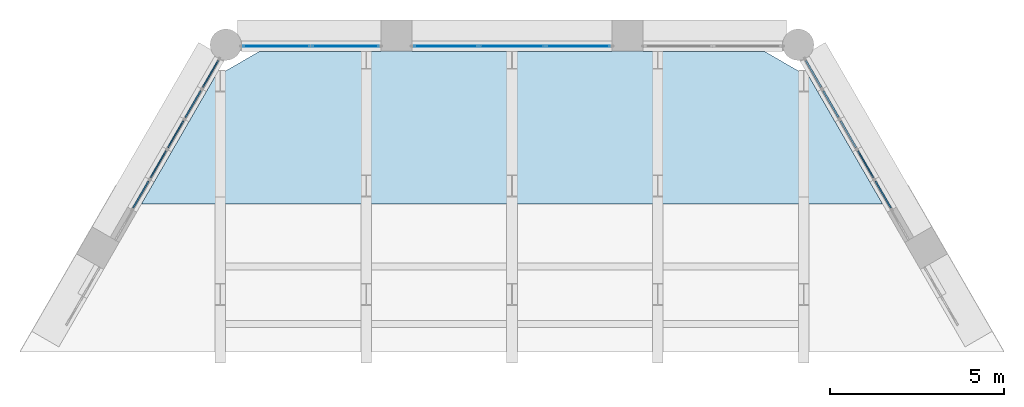
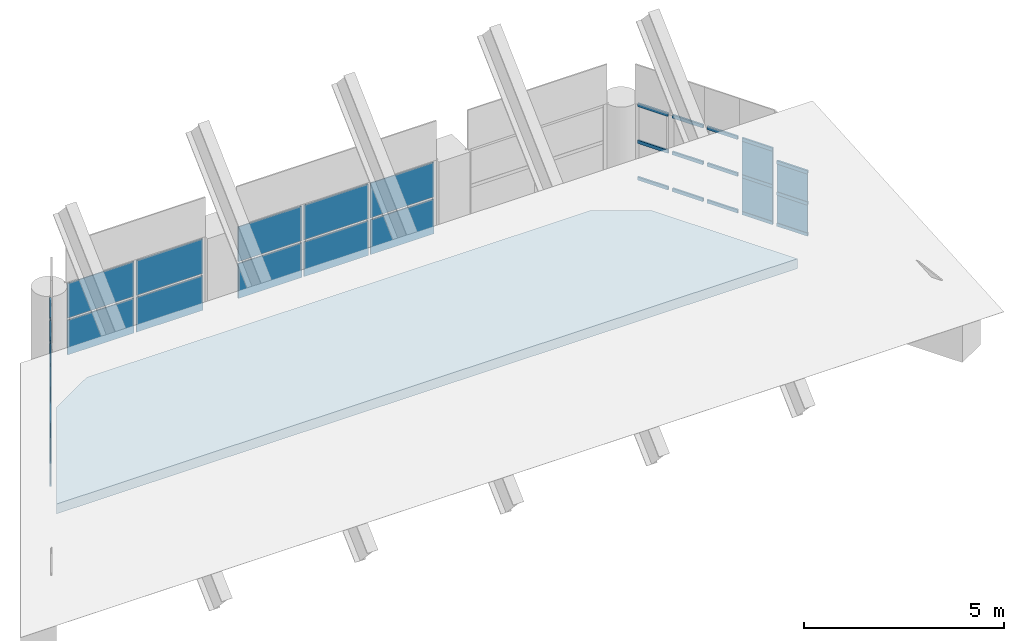
# One storey, part 9 of 11: 30 members, 24 plates, 1 slab, 12 elements without a shape of their own.
"""IFC4 building model written with IfcOpenShell, lengths in metres."""

from ifc_helpers import new_model, si_unit, direction, frame, origin, origin_2d, place, context, subcontext, project, spatial, polyline, rectangle, hollow_rectangle, outline, extrude, material, layer, layer_set, material_profile, profile_set, type_object, element, aggregate, save


model = new_model("IFC4")

# Units and contexts
model_context = context("Model", 3, precision=1e-05, world=origin(), true_north=direction((0.0, 1.0)))
body_context = subcontext(model_context, "Body", "Model", "MODEL_VIEW")
ifc_project = project(units=[si_unit("LENGTHUNIT", "METRE"), si_unit("AREAUNIT", "SQUARE_METRE"), si_unit("VOLUMEUNIT", "CUBIC_METRE"), si_unit("PLANEANGLEUNIT", "RADIAN"), si_unit("MASSUNIT", "GRAM", prefix="KILO")], contexts=[model_context])

# Site, building, storey
site_placement = place(None, origin())
site = spatial("IfcSite", under=ifc_project, at=site_placement, CompositionType="ELEMENT")
building_placement = place(site_placement, origin())
building = spatial("IfcBuilding", under=site, at=building_placement, Name="Ostrander Bayou Hotel Tower", CompositionType="ELEMENT")
storey_placement = place(building_placement, frame((0.0, 0.0, 297.5)))
storey = spatial("IfcBuildingStorey", under=building, at=storey_placement, Name="Roof 73", CompositionType="ELEMENT", Elevation=297.5)

# Curtain wall, members
ifc_material_1 = material(Name="Aluminium and clear glass", Category="aluminium")
curtain_wall_type = type_object("IfcCurtainWallType", Name="CW-CROWN glazed wall", PredefinedType="NOTDEFINED", material=ifc_material_1)
curtain_wall_1_placement = place(storey_placement, origin())
curtain_wall_1 = element("IfcCurtainWall", 1, at=curtain_wall_1_placement, inside=storey, type_object=curtain_wall_type, Name="CW-CROWN L73:NW-1-1", PredefinedType="NOTDEFINED")
ifc_material_2 = material(Name="Aluminium", Category="aluminium")
ifc_material_profile = material_profile(ifc_material_2, hollow_rectangle(XDim=0.050048828125, YDim=0.10009765625, WallThickness=0.00390625, at=origin_2d()))
ifc_profile_set = profile_set([ifc_material_profile], Name="Aluminium")
member_type = type_object("IfcMemberType", Name="CW-CR transom 50 x 100 mm", PredefinedType="USERDEFINED", material=ifc_profile_set)
member_1_placement = place(storey_placement, frame((-8.4619140625, 16.13037109375, 1.030029296875), z_axis=(-0.500033502416, -0.866006060292, 0.0), x_axis=(0.866006060292, -0.500033502416, 0.0)))
member_1 = element("IfcMember", 2, at=member_1_placement, type_object=member_type, Name="CW-CROWN transom 1.1", ObjectType="TRANSOM", PredefinedType="USERDEFINED", context=body_context, shape_type="SweptSolid", body=[
    extrude(hollow_rectangle(XDim=0.050048828125, YDim=0.10009765625, WallThickness=0.00390625, at=origin_2d()), origin(), (0.0, 0.0, 1.0), 0.88330078125),
])
member_2_placement = place(storey_placement, frame((-8.4619140625, 16.13037109375, 2.14990234375), z_axis=(-0.500033502416, -0.866006060292, 0.0), x_axis=(0.866006060292, -0.500033502416, 0.0)))
member_2 = element("IfcMember", 3, at=member_2_placement, type_object=member_type, Name="CW-CROWN transom 1.2", ObjectType="TRANSOM", PredefinedType="USERDEFINED", context=body_context, shape_type="SweptSolid", body=[
    extrude(hollow_rectangle(XDim=0.050048828125, YDim=0.10009765625, WallThickness=0.00390625, at=origin_2d()), origin(), (0.0, 0.0, 1.0), 0.88330078125),
])
member_3_placement = place(storey_placement, frame((-8.4619140625, 16.13037109375, 3.27001953125), z_axis=(-0.500033502416, -0.866006060292, 0.0), x_axis=(0.866006060292, -0.500033502416, 0.0)))
member_3 = element("IfcMember", 4, at=member_3_placement, type_object=member_type, Name="CW-CROWN transom 1.3", ObjectType="TRANSOM", PredefinedType="USERDEFINED", context=body_context, shape_type="SweptSolid", body=[
    extrude(hollow_rectangle(XDim=0.050048828125, YDim=0.10009765625, WallThickness=0.00390625, at=origin_2d()), origin(), (0.0, 0.0, 1.0), 0.88330078125),
])

curtain_wall_2_placement = place(storey_placement, origin())
curtain_wall_2 = element("IfcCurtainWall", 5, at=curtain_wall_2_placement, inside=storey, type_object=curtain_wall_type, Name="CW-CROWN L73:NW-1-2", PredefinedType="NOTDEFINED")
member_4_placement = place(storey_placement, frame((-8.963623046875, 15.26171875, 1.030029296875), z_axis=(-0.500033502416, -0.866006060292, 0.0), x_axis=(0.866006060292, -0.500033502416, 0.0)))
member_4 = element("IfcMember", 6, at=member_4_placement, type_object=member_type, Name="CW-CROWN transom 1.1", ObjectType="TRANSOM", PredefinedType="USERDEFINED", context=body_context, shape_type="SweptSolid", body=[
    extrude(hollow_rectangle(XDim=0.050048828125, YDim=0.10009765625, WallThickness=0.00390625, at=origin_2d()), origin(), (0.0, 0.0, 1.0), 0.88330078125),
])
member_5_placement = place(storey_placement, frame((-8.963623046875, 15.26171875, 2.14990234375), z_axis=(-0.500033502416, -0.866006060292, 0.0), x_axis=(0.866006060292, -0.500033502416, 0.0)))
member_5 = element("IfcMember", 7, at=member_5_placement, type_object=member_type, Name="CW-CROWN transom 1.2", ObjectType="TRANSOM", PredefinedType="USERDEFINED", context=body_context, shape_type="SweptSolid", body=[
    extrude(hollow_rectangle(XDim=0.050048828125, YDim=0.10009765625, WallThickness=0.00390625, at=origin_2d()), origin(), (0.0, 0.0, 1.0), 0.88330078125),
])
member_6_placement = place(storey_placement, frame((-8.963623046875, 15.26171875, 3.27001953125), z_axis=(-0.500033502416, -0.866006060292, 0.0), x_axis=(0.866006060292, -0.500033502416, 0.0)))
member_6 = element("IfcMember", 8, at=member_6_placement, type_object=member_type, Name="CW-CROWN transom 1.3", ObjectType="TRANSOM", PredefinedType="USERDEFINED", context=body_context, shape_type="SweptSolid", body=[
    extrude(hollow_rectangle(XDim=0.050048828125, YDim=0.10009765625, WallThickness=0.00390625, at=origin_2d()), origin(), (0.0, 0.0, 1.0), 0.88330078125),
])

curtain_wall_3_placement = place(storey_placement, origin())
curtain_wall_3 = element("IfcCurtainWall", 9, at=curtain_wall_3_placement, inside=storey, type_object=curtain_wall_type, Name="CW-CROWN L73:NW-1-3", PredefinedType="NOTDEFINED")
member_7_placement = place(storey_placement, frame((-9.465087890625, 14.392822265625, 1.030029296875), z_axis=(-0.500153222552, -0.865936922628, 0.0), x_axis=(0.865936922628, -0.500153222552, 0.0)))
member_7 = element("IfcMember", 10, at=member_7_placement, type_object=member_type, Name="CW-CROWN transom 1.1", ObjectType="TRANSOM", PredefinedType="USERDEFINED", context=body_context, shape_type="SweptSolid", body=[
    extrude(hollow_rectangle(XDim=0.050048828125, YDim=0.10009765625, WallThickness=0.00390625, at=origin_2d()), origin(), (0.0, 0.0, 1.0), 0.883056640625),
])
member_8_placement = place(storey_placement, frame((-9.465087890625, 14.392822265625, 2.14990234375), z_axis=(-0.500153222552, -0.865936922628, 0.0), x_axis=(0.865936922628, -0.500153222552, 0.0)))
member_8 = element("IfcMember", 11, at=member_8_placement, type_object=member_type, Name="CW-CROWN transom 1.2", ObjectType="TRANSOM", PredefinedType="USERDEFINED", context=body_context, shape_type="SweptSolid", body=[
    extrude(hollow_rectangle(XDim=0.050048828125, YDim=0.10009765625, WallThickness=0.00390625, at=origin_2d()), origin(), (0.0, 0.0, 1.0), 0.883056640625),
])
member_9_placement = place(storey_placement, frame((-9.465087890625, 14.392822265625, 3.27001953125), z_axis=(-0.500153222552, -0.865936922628, 0.0), x_axis=(0.865936922628, -0.500153222552, 0.0)))
member_9 = element("IfcMember", 12, at=member_9_placement, type_object=member_type, Name="CW-CROWN transom 1.3", ObjectType="TRANSOM", PredefinedType="USERDEFINED", context=body_context, shape_type="SweptSolid", body=[
    extrude(hollow_rectangle(XDim=0.050048828125, YDim=0.10009765625, WallThickness=0.00390625, at=origin_2d()), origin(), (0.0, 0.0, 1.0), 0.883056640625),
])

curtain_wall_4_placement = place(storey_placement, origin())
curtain_wall_4 = element("IfcCurtainWall", 13, at=curtain_wall_4_placement, inside=storey, type_object=curtain_wall_type, Name="CW-CROWN L73:NW-1-4", PredefinedType="NOTDEFINED")
member_10_placement = place(storey_placement, frame((-9.966796875, 13.524169921875, 1.030029296875), z_axis=(-0.499826157957, -0.866125748273, 0.0), x_axis=(0.866125748273, -0.499826157957, 0.0)))
member_10 = element("IfcMember", 14, at=member_10_placement, type_object=member_type, Name="CW-CROWN transom 1.1", ObjectType="TRANSOM", PredefinedType="USERDEFINED", context=body_context, shape_type="SweptSolid", body=[
    extrude(hollow_rectangle(XDim=0.050048828125, YDim=0.10009765625, WallThickness=0.00390625, at=origin_2d()), origin(), (0.0, 0.0, 1.0), 0.883056640625),
])
member_11_placement = place(storey_placement, frame((-9.966796875, 13.524169921875, 2.14990234375), z_axis=(-0.499826157957, -0.866125748273, 0.0), x_axis=(0.866125748273, -0.499826157957, 0.0)))
member_11 = element("IfcMember", 15, at=member_11_placement, type_object=member_type, Name="CW-CROWN transom 1.2", ObjectType="TRANSOM", PredefinedType="USERDEFINED", context=body_context, shape_type="SweptSolid", body=[
    extrude(hollow_rectangle(XDim=0.050048828125, YDim=0.10009765625, WallThickness=0.00390625, at=origin_2d()), origin(), (0.0, 0.0, 1.0), 0.883056640625),
])
member_12_placement = place(storey_placement, frame((-9.966796875, 13.524169921875, 3.27001953125), z_axis=(-0.499826157957, -0.866125748273, 0.0), x_axis=(0.866125748273, -0.499826157957, 0.0)))
member_12 = element("IfcMember", 16, at=member_12_placement, type_object=member_type, Name="CW-CROWN transom 1.3", ObjectType="TRANSOM", PredefinedType="USERDEFINED", context=body_context, shape_type="SweptSolid", body=[
    extrude(hollow_rectangle(XDim=0.050048828125, YDim=0.10009765625, WallThickness=0.00390625, at=origin_2d()), origin(), (0.0, 0.0, 1.0), 0.883056640625),
])

curtain_wall_5_placement = place(storey_placement, origin())
curtain_wall_5 = element("IfcCurtainWall", 17, at=curtain_wall_5_placement, inside=storey, type_object=curtain_wall_type, Name="CW-CROWN L73:NW-1-5", PredefinedType="NOTDEFINED")
member_13_placement = place(storey_placement, frame((-10.46826171875, 12.6552734375, 1.030029296875), z_axis=(-0.500153222552, -0.865936922628, 0.0), x_axis=(0.865936922628, -0.500153222552, 0.0)))
member_13 = element("IfcMember", 18, at=member_13_placement, type_object=member_type, Name="CW-CROWN transom 1.1", ObjectType="TRANSOM", PredefinedType="USERDEFINED", context=body_context, shape_type="SweptSolid", body=[
    extrude(hollow_rectangle(XDim=0.050048828125, YDim=0.10009765625, WallThickness=0.00390625, at=origin_2d()), origin(), (0.0, 0.0, 1.0), 0.883056640625),
])
member_14_placement = place(storey_placement, frame((-10.46826171875, 12.6552734375, 1.97802734375), z_axis=(-0.500153222552, -0.865936922628, 0.0), x_axis=(0.865936922628, -0.500153222552, 0.0)))
member_14 = element("IfcMember", 19, at=member_14_placement, type_object=member_type, Name="CW-CROWN transom 1.2", ObjectType="TRANSOM", PredefinedType="USERDEFINED", context=body_context, shape_type="SweptSolid", body=[
    extrude(hollow_rectangle(XDim=0.050048828125, YDim=0.10009765625, WallThickness=0.00390625, at=origin_2d()), origin(), (0.0, 0.0, 1.0), 0.883056640625),
])
member_15_placement = place(storey_placement, frame((-10.46826171875, 12.6552734375, 2.926025390625), z_axis=(-0.500153222552, -0.865936922628, 0.0), x_axis=(0.865936922628, -0.500153222552, 0.0)))
member_15 = element("IfcMember", 20, at=member_15_placement, type_object=member_type, Name="CW-CROWN transom 1.3", ObjectType="TRANSOM", PredefinedType="USERDEFINED", context=body_context, shape_type="SweptSolid", body=[
    extrude(hollow_rectangle(XDim=0.050048828125, YDim=0.10009765625, WallThickness=0.00390625, at=origin_2d()), origin(), (0.0, 0.0, 1.0), 0.883056640625),
])

curtain_wall_6_placement = place(storey_placement, origin())
curtain_wall_6 = element("IfcCurtainWall", 21, at=curtain_wall_6_placement, inside=storey, type_object=curtain_wall_type, Name="CW-CROWN L73:NE-3-2", PredefinedType="NOTDEFINED")
member_16_placement = place(storey_placement, frame((10.909912109375, 11.890625, 1.030029296875), z_axis=(-0.500153222552, 0.865936922628, 0.0), x_axis=(-0.865936922628, -0.500153222552, 0.0)))
member_16 = element("IfcMember", 22, at=member_16_placement, type_object=member_type, Name="CW-CROWN transom 1.1", ObjectType="TRANSOM", PredefinedType="USERDEFINED", context=body_context, shape_type="SweptSolid", body=[
    extrude(hollow_rectangle(XDim=0.050048828125, YDim=0.10009765625, WallThickness=0.00390625, at=origin_2d()), origin(), (0.0, 0.0, 1.0), 0.883056640625),
])
member_17_placement = place(storey_placement, frame((10.909912109375, 11.890625, 1.97802734375), z_axis=(-0.500153222552, 0.865936922628, 0.0), x_axis=(-0.865936922628, -0.500153222552, 0.0)))
member_17 = element("IfcMember", 23, at=member_17_placement, type_object=member_type, Name="CW-CROWN transom 1.2", ObjectType="TRANSOM", PredefinedType="USERDEFINED", context=body_context, shape_type="SweptSolid", body=[
    extrude(hollow_rectangle(XDim=0.050048828125, YDim=0.10009765625, WallThickness=0.00390625, at=origin_2d()), origin(), (0.0, 0.0, 1.0), 0.883056640625),
])
member_18_placement = place(storey_placement, frame((10.909912109375, 11.890625, 2.926025390625), z_axis=(-0.500153222552, 0.865936922628, 0.0), x_axis=(-0.865936922628, -0.500153222552, 0.0)))
member_18 = element("IfcMember", 24, at=member_18_placement, type_object=member_type, Name="CW-CROWN transom 1.3", ObjectType="TRANSOM", PredefinedType="USERDEFINED", context=body_context, shape_type="SweptSolid", body=[
    extrude(hollow_rectangle(XDim=0.050048828125, YDim=0.10009765625, WallThickness=0.00390625, at=origin_2d()), origin(), (0.0, 0.0, 1.0), 0.883056640625),
])

curtain_wall_7_placement = place(storey_placement, origin())
curtain_wall_7 = element("IfcCurtainWall", 25, at=curtain_wall_7_placement, inside=storey, type_object=curtain_wall_type, Name="CW-CROWN L73:NE-3-3", PredefinedType="NOTDEFINED")
member_19_placement = place(storey_placement, frame((10.408203125, 12.75927734375, 1.030029296875), z_axis=(-0.499826157957, 0.866125748273, 0.0), x_axis=(-0.866125748273, -0.499826157957, 0.0)))
member_19 = element("IfcMember", 26, at=member_19_placement, type_object=member_type, Name="CW-CROWN transom 1.1", ObjectType="TRANSOM", PredefinedType="USERDEFINED", context=body_context, shape_type="SweptSolid", body=[
    extrude(hollow_rectangle(XDim=0.050048828125, YDim=0.10009765625, WallThickness=0.00390625, at=origin_2d()), origin(), (0.0, 0.0, 1.0), 0.883056640625),
])
member_20_placement = place(storey_placement, frame((10.408203125, 12.75927734375, 2.14990234375), z_axis=(-0.499826157957, 0.866125748273, 0.0), x_axis=(-0.866125748273, -0.499826157957, 0.0)))
member_20 = element("IfcMember", 27, at=member_20_placement, type_object=member_type, Name="CW-CROWN transom 1.2", ObjectType="TRANSOM", PredefinedType="USERDEFINED", context=body_context, shape_type="SweptSolid", body=[
    extrude(hollow_rectangle(XDim=0.050048828125, YDim=0.10009765625, WallThickness=0.00390625, at=origin_2d()), origin(), (0.0, 0.0, 1.0), 0.883056640625),
])
member_21_placement = place(storey_placement, frame((10.408203125, 12.75927734375, 3.27001953125), z_axis=(-0.499826157957, 0.866125748273, 0.0), x_axis=(-0.866125748273, -0.499826157957, 0.0)))
member_21 = element("IfcMember", 28, at=member_21_placement, type_object=member_type, Name="CW-CROWN transom 1.3", ObjectType="TRANSOM", PredefinedType="USERDEFINED", context=body_context, shape_type="SweptSolid", body=[
    extrude(hollow_rectangle(XDim=0.050048828125, YDim=0.10009765625, WallThickness=0.00390625, at=origin_2d()), origin(), (0.0, 0.0, 1.0), 0.883056640625),
])

curtain_wall_8_placement = place(storey_placement, origin())
curtain_wall_8 = element("IfcCurtainWall", 29, at=curtain_wall_8_placement, inside=storey, type_object=curtain_wall_type, Name="CW-CROWN L73:NE-3-4", PredefinedType="NOTDEFINED")
member_22_placement = place(storey_placement, frame((9.90673828125, 13.628173828125, 1.030029296875), z_axis=(-0.500153222552, 0.865936922628, 0.0), x_axis=(-0.865936922628, -0.500153222552, 0.0)))
member_22 = element("IfcMember", 30, at=member_22_placement, type_object=member_type, Name="CW-CROWN transom 1.1", ObjectType="TRANSOM", PredefinedType="USERDEFINED", context=body_context, shape_type="SweptSolid", body=[
    extrude(hollow_rectangle(XDim=0.050048828125, YDim=0.10009765625, WallThickness=0.00390625, at=origin_2d()), origin(), (0.0, 0.0, 1.0), 0.883056640625),
])
member_23_placement = place(storey_placement, frame((9.90673828125, 13.628173828125, 2.14990234375), z_axis=(-0.500153222552, 0.865936922628, 0.0), x_axis=(-0.865936922628, -0.500153222552, 0.0)))
member_23 = element("IfcMember", 31, at=member_23_placement, type_object=member_type, Name="CW-CROWN transom 1.2", ObjectType="TRANSOM", PredefinedType="USERDEFINED", context=body_context, shape_type="SweptSolid", body=[
    extrude(hollow_rectangle(XDim=0.050048828125, YDim=0.10009765625, WallThickness=0.00390625, at=origin_2d()), origin(), (0.0, 0.0, 1.0), 0.883056640625),
])
member_24_placement = place(storey_placement, frame((9.90673828125, 13.628173828125, 3.27001953125), z_axis=(-0.500153222552, 0.865936922628, 0.0), x_axis=(-0.865936922628, -0.500153222552, 0.0)))
member_24 = element("IfcMember", 32, at=member_24_placement, type_object=member_type, Name="CW-CROWN transom 1.3", ObjectType="TRANSOM", PredefinedType="USERDEFINED", context=body_context, shape_type="SweptSolid", body=[
    extrude(hollow_rectangle(XDim=0.050048828125, YDim=0.10009765625, WallThickness=0.00390625, at=origin_2d()), origin(), (0.0, 0.0, 1.0), 0.883056640625),
])
aggregate(curtain_wall_8, [member_22, member_23, member_24])

curtain_wall_9_placement = place(storey_placement, origin())
curtain_wall_9 = element("IfcCurtainWall", 33, at=curtain_wall_9_placement, inside=storey, type_object=curtain_wall_type, Name="CW-CROWN L73:NE-3-5", PredefinedType="NOTDEFINED")
member_25_placement = place(storey_placement, frame((9.4052734375, 14.496826171875, 1.030029296875), z_axis=(-0.500033502416, 0.866006060292, 0.0), x_axis=(-0.866006060292, -0.500033502416, 0.0)))
member_25 = element("IfcMember", 34, at=member_25_placement, type_object=member_type, Name="CW-CROWN transom 1.1", ObjectType="TRANSOM", PredefinedType="USERDEFINED", context=body_context, shape_type="SweptSolid", body=[
    extrude(hollow_rectangle(XDim=0.050048828125, YDim=0.10009765625, WallThickness=0.00390625, at=origin_2d()), origin(), (0.0, 0.0, 1.0), 0.88330078125),
])
member_26_placement = place(storey_placement, frame((9.4052734375, 14.496826171875, 2.14990234375), z_axis=(-0.500033502416, 0.866006060292, 0.0), x_axis=(-0.866006060292, -0.500033502416, 0.0)))
member_26 = element("IfcMember", 35, at=member_26_placement, type_object=member_type, Name="CW-CROWN transom 1.2", ObjectType="TRANSOM", PredefinedType="USERDEFINED", context=body_context, shape_type="SweptSolid", body=[
    extrude(hollow_rectangle(XDim=0.050048828125, YDim=0.10009765625, WallThickness=0.00390625, at=origin_2d()), origin(), (0.0, 0.0, 1.0), 0.88330078125),
])
member_27_placement = place(storey_placement, frame((9.4052734375, 14.496826171875, 3.27001953125), z_axis=(-0.500033502416, 0.866006060292, 0.0), x_axis=(-0.866006060292, -0.500033502416, 0.0)))
member_27 = element("IfcMember", 36, at=member_27_placement, type_object=member_type, Name="CW-CROWN transom 1.3", ObjectType="TRANSOM", PredefinedType="USERDEFINED", context=body_context, shape_type="SweptSolid", body=[
    extrude(hollow_rectangle(XDim=0.050048828125, YDim=0.10009765625, WallThickness=0.00390625, at=origin_2d()), origin(), (0.0, 0.0, 1.0), 0.88330078125),
])
aggregate(curtain_wall_9, [member_25, member_26, member_27])

curtain_wall_10_placement = place(storey_placement, origin())
curtain_wall_10 = element("IfcCurtainWall", 37, at=curtain_wall_10_placement, inside=storey, type_object=curtain_wall_type, Name="CW-CROWN L73:NE-3-6", PredefinedType="NOTDEFINED")
member_28_placement = place(storey_placement, frame((8.903564453125, 15.365478515625, 1.030029296875), z_axis=(-0.500033502416, 0.866006060292, 0.0), x_axis=(-0.866006060292, -0.500033502416, 0.0)))
member_28 = element("IfcMember", 38, at=member_28_placement, type_object=member_type, Name="CW-CROWN transom 1.1", ObjectType="TRANSOM", PredefinedType="USERDEFINED", context=body_context, shape_type="SweptSolid", body=[
    extrude(hollow_rectangle(XDim=0.050048828125, YDim=0.10009765625, WallThickness=0.00390625, at=origin_2d()), origin(), (0.0, 0.0, 1.0), 0.88330078125),
])
member_29_placement = place(storey_placement, frame((8.903564453125, 15.365478515625, 2.14990234375), z_axis=(-0.500033502416, 0.866006060292, 0.0), x_axis=(-0.866006060292, -0.500033502416, 0.0)))
member_29 = element("IfcMember", 39, at=member_29_placement, type_object=member_type, Name="CW-CROWN transom 1.2", ObjectType="TRANSOM", PredefinedType="USERDEFINED", context=body_context, shape_type="SweptSolid", body=[
    extrude(hollow_rectangle(XDim=0.050048828125, YDim=0.10009765625, WallThickness=0.00390625, at=origin_2d()), origin(), (0.0, 0.0, 1.0), 0.88330078125),
])
member_30_placement = place(storey_placement, frame((8.903564453125, 15.365478515625, 3.27001953125), z_axis=(-0.500033502416, 0.866006060292, 0.0), x_axis=(-0.866006060292, -0.500033502416, 0.0)))
member_30 = element("IfcMember", 40, at=member_30_placement, type_object=member_type, Name="CW-CROWN transom 1.3", ObjectType="TRANSOM", PredefinedType="USERDEFINED", context=body_context, shape_type="SweptSolid", body=[
    extrude(hollow_rectangle(XDim=0.050048828125, YDim=0.10009765625, WallThickness=0.00390625, at=origin_2d()), origin(), (0.0, 0.0, 1.0), 0.88330078125),
])
aggregate(curtain_wall_10, [member_28, member_29, member_30])

# Curtain wall, plates
curtain_wall_11_placement = place(storey_placement, origin())
curtain_wall_11 = element("IfcCurtainWall", 41, at=curtain_wall_11_placement, inside=storey, type_object=curtain_wall_type, Name="CW-CROWN L73:N-2", PredefinedType="NOTDEFINED")
ifc_material_3 = material(Name="Clear laminated glass", Category="glass")
ifc_layer_1 = layer(ifc_material_3, 0.028076171875)
ifc_layer_set_1 = layer_set([ifc_layer_1], Name="CW-CR glazing panel 28 mm")
plate_type = type_object("IfcPlateType", Name="CW-CR glazing panel 28 mm", PredefinedType="CURTAIN_PANEL", material=ifc_layer_set_1)
plate_1_placement = place(storey_placement, frame((1.904541015625, 16.550048828125, 1.06005859375), z_axis=(0.0, 0.0, 1.0), x_axis=(-1.0, 0.0, 0.0)))
plate_1 = element("IfcPlate", 42, at=plate_1_placement, type_object=plate_type, Name="CW-CROWN panel 1.1", PredefinedType="CURTAIN_PANEL", context=body_context, shape_type="SweptSolid", body=[
    extrude(rectangle(XDim=1.82958984375, YDim=0.028076171875, at=origin_2d()), origin(), (0.0, 0.0, 1.0), 1.06005859375),
])
plate_2_placement = place(storey_placement, frame((1.904541015625, 16.550048828125, 2.179931640625), z_axis=(0.0, 0.0, 1.0), x_axis=(-1.0, 0.0, 0.0)))
plate_2 = element("IfcPlate", 43, at=plate_2_placement, type_object=plate_type, Name="CW-CROWN panel 1.2", PredefinedType="CURTAIN_PANEL", context=body_context, shape_type="SweptSolid", body=[
    extrude(rectangle(XDim=1.82958984375, YDim=0.028076171875, at=origin_2d()), origin(), (0.0, 0.0, 1.0), 1.06005859375),
])
plate_3_placement = place(storey_placement, frame((0.0, 16.550048828125, 1.06005859375), z_axis=(0.0, 0.0, 1.0), x_axis=(-1.0, 0.0, 0.0)))
plate_3 = element("IfcPlate", 44, at=plate_3_placement, type_object=plate_type, Name="CW-CROWN panel 2.1", PredefinedType="CURTAIN_PANEL", context=body_context, shape_type="SweptSolid", body=[
    extrude(rectangle(XDim=1.859619140625, YDim=0.028076171875, at=origin_2d()), origin(), (0.0, 0.0, 1.0), 1.06005859375),
])
plate_4_placement = place(storey_placement, frame((0.0, 16.550048828125, 2.179931640625), z_axis=(0.0, 0.0, 1.0), x_axis=(-1.0, 0.0, 0.0)))
plate_4 = element("IfcPlate", 45, at=plate_4_placement, type_object=plate_type, Name="CW-CROWN panel 2.2", PredefinedType="CURTAIN_PANEL", context=body_context, shape_type="SweptSolid", body=[
    extrude(rectangle(XDim=1.859619140625, YDim=0.028076171875, at=origin_2d()), origin(), (0.0, 0.0, 1.0), 1.06005859375),
])
plate_5_placement = place(storey_placement, frame((-1.904541015625, 16.550048828125, 1.06005859375), z_axis=(0.0, 0.0, 1.0), x_axis=(-1.0, 0.0, 0.0)))
plate_5 = element("IfcPlate", 46, at=plate_5_placement, type_object=plate_type, Name="CW-CROWN panel 3.1", PredefinedType="CURTAIN_PANEL", context=body_context, shape_type="SweptSolid", body=[
    extrude(rectangle(XDim=1.82958984375, YDim=0.028076171875, at=origin_2d()), origin(), (0.0, 0.0, 1.0), 1.06005859375),
])
plate_6_placement = place(storey_placement, frame((-1.904541015625, 16.550048828125, 2.179931640625), z_axis=(0.0, 0.0, 1.0), x_axis=(-1.0, 0.0, 0.0)))
plate_6 = element("IfcPlate", 47, at=plate_6_placement, type_object=plate_type, Name="CW-CROWN panel 3.2", PredefinedType="CURTAIN_PANEL", context=body_context, shape_type="SweptSolid", body=[
    extrude(rectangle(XDim=1.82958984375, YDim=0.028076171875, at=origin_2d()), origin(), (0.0, 0.0, 1.0), 1.06005859375),
])
aggregate(curtain_wall_11, [plate_1, plate_2, plate_3, plate_4, plate_5, plate_6])

curtain_wall_12_placement = place(storey_placement, origin())
curtain_wall_12 = element("IfcCurtainWall", 48, at=curtain_wall_12_placement, inside=storey, type_object=curtain_wall_type, Name="CW-CROWN L73:N-3", PredefinedType="NOTDEFINED")
plate_7_placement = place(storey_placement, frame((-4.798583984375, 16.550048828125, 1.06005859375), z_axis=(0.0, 0.0, 1.0), x_axis=(-1.0, 0.0, 0.0)))
plate_7 = element("IfcPlate", 49, at=plate_7_placement, type_object=plate_type, Name="CW-CROWN panel 1.1", PredefinedType="CURTAIN_PANEL", context=body_context, shape_type="SweptSolid", body=[
    extrude(rectangle(XDim=1.918212890625, YDim=0.028076171875, at=origin_2d()), origin(), (0.0, 0.0, 1.0), 1.06005859375),
])
plate_8_placement = place(storey_placement, frame((-4.798583984375, 16.550048828125, 2.179931640625), z_axis=(0.0, 0.0, 1.0), x_axis=(-1.0, 0.0, 0.0)))
plate_8 = element("IfcPlate", 50, at=plate_8_placement, type_object=plate_type, Name="CW-CROWN panel 1.2", PredefinedType="CURTAIN_PANEL", context=body_context, shape_type="SweptSolid", body=[
    extrude(rectangle(XDim=1.918212890625, YDim=0.028076171875, at=origin_2d()), origin(), (0.0, 0.0, 1.0), 1.06005859375),
])
plate_9_placement = place(storey_placement, frame((-6.77685546875, 16.550048828125, 1.06005859375), z_axis=(0.0, 0.0, 1.0), x_axis=(-1.0, 0.0, 0.0)))
plate_9 = element("IfcPlate", 51, at=plate_9_placement, type_object=plate_type, Name="CW-CROWN panel 2.1", PredefinedType="CURTAIN_PANEL", context=body_context, shape_type="SweptSolid", body=[
    extrude(rectangle(XDim=1.918212890625, YDim=0.028076171875, at=origin_2d()), origin(), (0.0, 0.0, 1.0), 1.06005859375),
])
plate_10_placement = place(storey_placement, frame((-6.77685546875, 16.550048828125, 2.179931640625), z_axis=(0.0, 0.0, 1.0), x_axis=(-1.0, 0.0, 0.0)))
plate_10 = element("IfcPlate", 52, at=plate_10_placement, type_object=plate_type, Name="CW-CROWN panel 2.2", PredefinedType="CURTAIN_PANEL", context=body_context, shape_type="SweptSolid", body=[
    extrude(rectangle(XDim=1.918212890625, YDim=0.028076171875, at=origin_2d()), origin(), (0.0, 0.0, 1.0), 1.06005859375),
])
aggregate(curtain_wall_12, [plate_7, plate_8, plate_9, plate_10])

# Plate
plate_11_placement = place(storey_placement, frame((-8.682861328125, 15.748046875, 1.06005859375), z_axis=(0.0, 0.0, 1.0), x_axis=(-0.499998569184, -0.866026229865, 0.0)))
plate_11 = element("IfcPlate", 53, at=plate_11_placement, type_object=plate_type, Name="CW-CROWN panel 1.1", PredefinedType="CURTAIN_PANEL", context=body_context, shape_type="SweptSolid", body=[
    extrude(rectangle(XDim=0.88330078125, YDim=0.028076171875, at=origin_2d()), origin(), (0.0, 0.0, 1.0), 1.06005859375),
])

plate_12_placement = place(storey_placement, frame((-8.682861328125, 15.748046875, 2.179931640625), z_axis=(0.0, 0.0, 1.0), x_axis=(-0.499998569184, -0.866026229865, 0.0)))
plate_12 = element("IfcPlate", 54, at=plate_12_placement, type_object=plate_type, Name="CW-CROWN panel 1.2", PredefinedType="CURTAIN_PANEL", context=body_context, shape_type="SweptSolid", body=[
    extrude(rectangle(XDim=0.88330078125, YDim=0.028076171875, at=origin_2d()), origin(), (0.0, 0.0, 1.0), 1.06005859375),
])

aggregate(curtain_wall_1, [member_1, member_2, member_3, plate_11, plate_12])

plate_13_placement = place(storey_placement, frame((-9.184326171875, 14.879150390625, 1.06005859375), z_axis=(0.0, 0.0, 1.0), x_axis=(-0.50004173523, -0.866001306597, 0.0)))
plate_13 = element("IfcPlate", 55, at=plate_13_placement, type_object=plate_type, Name="CW-CROWN panel 1.1", PredefinedType="CURTAIN_PANEL", context=body_context, shape_type="SweptSolid", body=[
    extrude(rectangle(XDim=0.883056640625, YDim=0.028076171875, at=origin_2d()), origin(), (0.0, 0.0, 1.0), 1.06005859375),
])

plate_14_placement = place(storey_placement, frame((-9.184326171875, 14.879150390625, 2.179931640625), z_axis=(0.0, 0.0, 1.0), x_axis=(-0.50004173523, -0.866001306597, 0.0)))
plate_14 = element("IfcPlate", 56, at=plate_14_placement, type_object=plate_type, Name="CW-CROWN panel 1.2", PredefinedType="CURTAIN_PANEL", context=body_context, shape_type="SweptSolid", body=[
    extrude(rectangle(XDim=0.883056640625, YDim=0.028076171875, at=origin_2d()), origin(), (0.0, 0.0, 1.0), 1.06005859375),
])

aggregate(curtain_wall_2, [member_4, member_5, member_6, plate_13, plate_14])

plate_15_placement = place(storey_placement, frame((-9.68603515625, 14.010498046875, 1.06005859375), z_axis=(0.0, 0.0, 1.0), x_axis=(-0.499998569184, -0.866026229865, 0.0)))
plate_15 = element("IfcPlate", 57, at=plate_15_placement, type_object=plate_type, Name="CW-CROWN panel 1.1", PredefinedType="CURTAIN_PANEL", context=body_context, shape_type="SweptSolid", body=[
    extrude(rectangle(XDim=0.88330078125, YDim=0.028076171875, at=origin_2d()), origin(), (0.0, 0.0, 1.0), 1.06005859375),
])

plate_16_placement = place(storey_placement, frame((-9.68603515625, 14.010498046875, 2.179931640625), z_axis=(0.0, 0.0, 1.0), x_axis=(-0.499998569184, -0.866026229865, 0.0)))
plate_16 = element("IfcPlate", 58, at=plate_16_placement, type_object=plate_type, Name="CW-CROWN panel 1.2", PredefinedType="CURTAIN_PANEL", context=body_context, shape_type="SweptSolid", body=[
    extrude(rectangle(XDim=0.88330078125, YDim=0.028076171875, at=origin_2d()), origin(), (0.0, 0.0, 1.0), 1.06005859375),
])

aggregate(curtain_wall_3, [member_7, member_8, member_9, plate_15, plate_16])

plate_17_placement = place(storey_placement, frame((-10.1875, 13.1416015625, 1.06005859375), z_axis=(0.0, 0.0, 1.0), x_axis=(-0.499923802893, -0.866069391736, 0.0)))
plate_17 = element("IfcPlate", 59, at=plate_17_placement, type_object=plate_type, Name="CW-CROWN panel 1.1", PredefinedType="CURTAIN_PANEL", context=body_context, shape_type="SweptSolid", body=[
    extrude(rectangle(XDim=0.883056640625, YDim=0.028076171875, at=origin_2d()), origin(), (0.0, 0.0, 1.0), 1.06005859375),
])

plate_18_placement = place(storey_placement, frame((-10.1875, 13.1416015625, 2.179931640625), z_axis=(0.0, 0.0, 1.0), x_axis=(-0.499923802893, -0.866069391736, 0.0)))
plate_18 = element("IfcPlate", 60, at=plate_18_placement, type_object=plate_type, Name="CW-CROWN panel 1.2", PredefinedType="CURTAIN_PANEL", context=body_context, shape_type="SweptSolid", body=[
    extrude(rectangle(XDim=0.883056640625, YDim=0.028076171875, at=origin_2d()), origin(), (0.0, 0.0, 1.0), 1.06005859375),
])

aggregate(curtain_wall_4, [member_10, member_11, member_12, plate_17, plate_18])

plate_19_placement = place(storey_placement, frame((-10.689208984375, 12.27294921875, 1.06005859375), z_axis=(0.0, 0.0, 1.0), x_axis=(-0.50004173523, -0.866001306597, 0.0)))
plate_19 = element("IfcPlate", 61, at=plate_19_placement, type_object=plate_type, Name="CW-CROWN panel 1.1", PredefinedType="CURTAIN_PANEL", context=body_context, shape_type="SweptSolid", body=[
    extrude(rectangle(XDim=0.883056640625, YDim=0.028076171875, at=origin_2d()), origin(), (0.0, 0.0, 1.0), 0.887939453125),
])

plate_20_placement = place(storey_placement, frame((-10.689208984375, 12.27294921875, 2.0078125), z_axis=(0.0, 0.0, 1.0), x_axis=(-0.50004173523, -0.866001306597, 0.0)))
plate_20 = element("IfcPlate", 62, at=plate_20_placement, type_object=plate_type, Name="CW-CROWN panel 1.2", PredefinedType="CURTAIN_PANEL", context=body_context, shape_type="SweptSolid", body=[
    extrude(rectangle(XDim=0.883056640625, YDim=0.028076171875, at=origin_2d()), origin(), (0.0, 0.0, 1.0), 0.887939453125),
])

aggregate(curtain_wall_5, [member_13, member_14, member_15, plate_19, plate_20])

plate_21_placement = place(storey_placement, frame((10.689208984375, 12.27294921875, 1.06005859375), z_axis=(0.0, 0.0, 1.0), x_axis=(-0.50004173523, 0.866001306597, 0.0)))
plate_21 = element("IfcPlate", 63, at=plate_21_placement, type_object=plate_type, Name="CW-CROWN panel 1.1", PredefinedType="CURTAIN_PANEL", context=body_context, shape_type="SweptSolid", body=[
    extrude(rectangle(XDim=0.883056640625, YDim=0.028076171875, at=origin_2d()), origin(), (0.0, 0.0, 1.0), 0.887939453125),
])

plate_22_placement = place(storey_placement, frame((10.689208984375, 12.27294921875, 2.0078125), z_axis=(0.0, 0.0, 1.0), x_axis=(-0.50004173523, 0.866001306597, 0.0)))
plate_22 = element("IfcPlate", 64, at=plate_22_placement, type_object=plate_type, Name="CW-CROWN panel 1.2", PredefinedType="CURTAIN_PANEL", context=body_context, shape_type="SweptSolid", body=[
    extrude(rectangle(XDim=0.883056640625, YDim=0.028076171875, at=origin_2d()), origin(), (0.0, 0.0, 1.0), 0.887939453125),
])

aggregate(curtain_wall_6, [member_16, member_17, member_18, plate_21, plate_22])

plate_23_placement = place(storey_placement, frame((10.1875, 13.1416015625, 1.06005859375), z_axis=(0.0, 0.0, 1.0), x_axis=(-0.499923802893, 0.866069391736, 0.0)))
plate_23 = element("IfcPlate", 65, at=plate_23_placement, type_object=plate_type, Name="CW-CROWN panel 1.1", PredefinedType="CURTAIN_PANEL", context=body_context, shape_type="SweptSolid", body=[
    extrude(rectangle(XDim=0.883056640625, YDim=0.028076171875, at=origin_2d()), origin(), (0.0, 0.0, 1.0), 1.06005859375),
])

plate_24_placement = place(storey_placement, frame((10.1875, 13.1416015625, 2.179931640625), z_axis=(0.0, 0.0, 1.0), x_axis=(-0.499923802893, 0.866069391736, 0.0)))
plate_24 = element("IfcPlate", 66, at=plate_24_placement, type_object=plate_type, Name="CW-CROWN panel 1.2", PredefinedType="CURTAIN_PANEL", context=body_context, shape_type="SweptSolid", body=[
    extrude(rectangle(XDim=0.883056640625, YDim=0.028076171875, at=origin_2d()), origin(), (0.0, 0.0, 1.0), 1.06005859375),
])

aggregate(curtain_wall_7, [member_19, member_20, member_21, plate_23, plate_24])

# Slab
ifc_material_4 = material(Name="Concrete f'c 40 MPa", Category="concrete")
ifc_layer_2 = layer(ifc_material_4, 0.300048828125)
ifc_layer_set_2 = layer_set([ifc_layer_2], Name="SL6E crown wing roof deck 300 mm f'c 40 MPa")
slab_type = type_object("IfcSlabType", Name="SL6E crown wing roof deck 300 mm f'c 40 MPa", PredefinedType="ROOF", material=ifc_layer_set_2)
slab_placement = place(storey_placement, origin())
element("IfcSlab", 67, at=slab_placement, inside=storey, type_object=slab_type, Name="SL6E ROOF WING DECK L73 1", PredefinedType="ROOF", context=body_context, shape_type="SweptSolid", body=[
    extrude(outline(polyline([(-7.26708984375, 16.39990234375), (7.26708984375, 16.39990234375), (8.566162109375, 15.64990234375), (10.673583984375, 12.0), (-10.673583984375, 12.0), (-8.566162109375, 15.64990234375), (-7.26708984375, 16.39990234375)])), origin(), (0.0, 0.0, 1.0), 0.300048828125),
])

save(model, "model.ifc")
